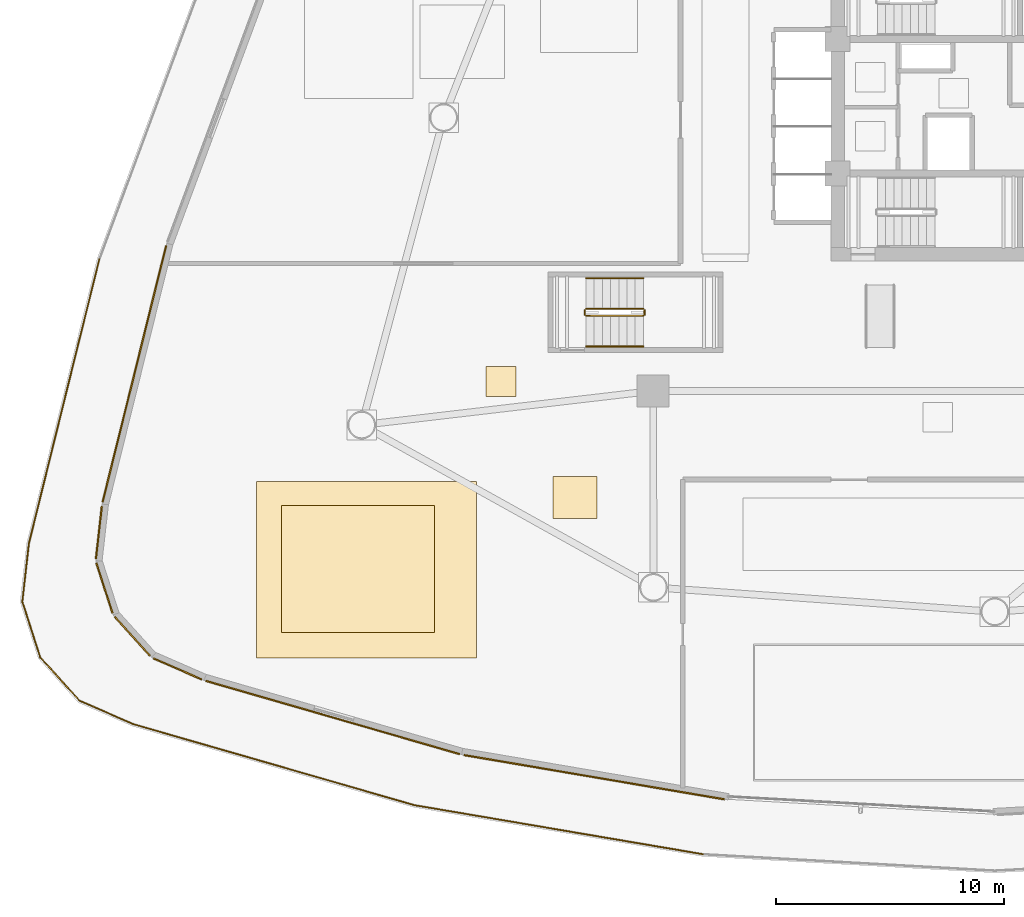
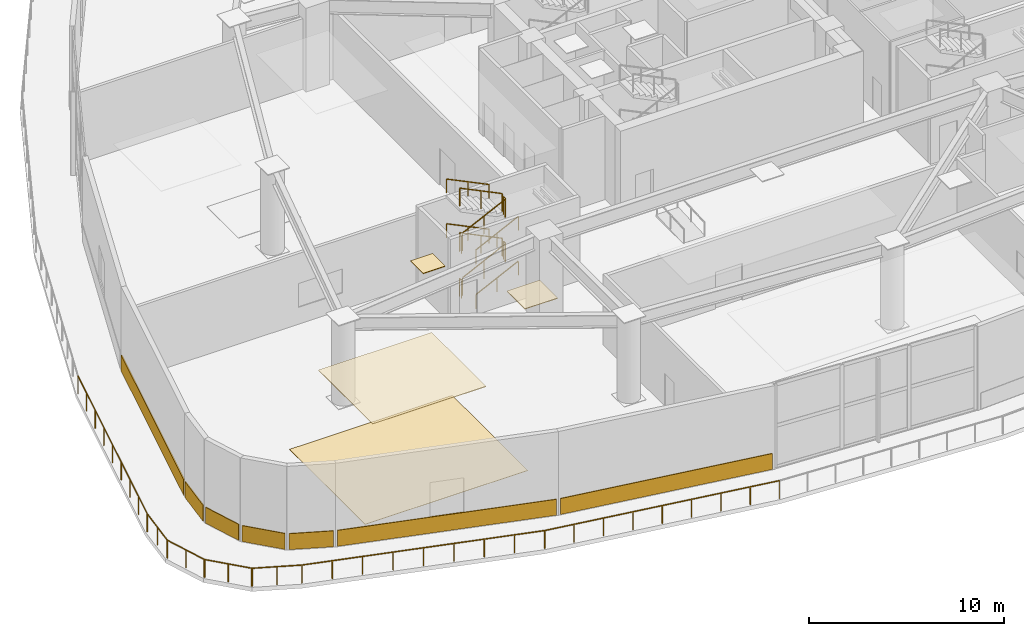
# One storey, part 18 of 26: 19 railings, 11 coverings.
"""IFC4 building model written with IfcOpenShell, lengths in metres."""

from ifc_helpers import new_model, si_unit, direction, frame, origin, origin_2d, place, context, subcontext, project, spatial, polyline, rectangle, outline, extrude, material, layer, layer_set, type_object, element, save


model = new_model("IFC4")

# Units and contexts
model_context = context("Model", 3, precision=1e-05, world=origin(), true_north=direction((0.0, 1.0)))
body_context = subcontext(model_context, "Body", "Model", "MODEL_VIEW")
ifc_project = project(units=[si_unit("LENGTHUNIT", "METRE"), si_unit("AREAUNIT", "SQUARE_METRE"), si_unit("VOLUMEUNIT", "CUBIC_METRE"), si_unit("PLANEANGLEUNIT", "RADIAN"), si_unit("MASSUNIT", "GRAM", prefix="KILO")], contexts=[model_context])

# Site, building, storey
site_placement = place(None, origin())
site = spatial("IfcSite", under=ifc_project, at=site_placement, CompositionType="ELEMENT")
building_placement = place(site_placement, origin())
building = spatial("IfcBuilding", under=site, at=building_placement, Name="Tavelor Broadcast Tower", CompositionType="ELEMENT")
storey_placement = place(building_placement, frame((0.0, 0.0, 5.800048828125)))
storey = spatial("IfcBuildingStorey", under=building, at=storey_placement, Name="L01", CompositionType="ELEMENT", Elevation=5.800048828125)

# Railings
ifc_material_1 = material(Name="Steel S355", Category="steel")
railing_type_1 = type_object("IfcRailingType", Name="Continuous Brushed Stainless Handrail 900 mm", PredefinedType="HANDRAIL", material=ifc_material_1)
railing_1_placement = place(storey_placement, frame((32.050048828125, 34.449951171875, 0.175048828125)))
element("IfcRailing", 1, at=railing_1_placement, inside=storey, type_object=railing_type_1, Name="L01 ST3 stair handrail 1", PredefinedType="HANDRAIL", context=body_context, shape_type="SweptSolid", body=[
    extrude(rectangle(XDim=0.048095703125, YDim=0.048095703125, at=origin_2d()), frame((0.0, 0.0, 0.8759765625), z_axis=(0.899389741696, 0.0, 0.437147678172), x_axis=(0.0, 1.0, 0.0)), (0.0, 0.0, 1.0), 2.802001953125),
    extrude(rectangle(XDim=0.0419921875, YDim=0.0419921875, at=origin_2d()), origin(), (0.0, 0.0, 1.0), 0.851806640625),
    extrude(rectangle(XDim=0.0419921875, YDim=0.0419921875, at=origin_2d()), frame((1.260009765625, 0.0, 0.6123046875)), (0.0, 0.0, 1.0), 0.851806640625),
    extrude(rectangle(XDim=0.0419921875, YDim=0.0419921875, at=origin_2d()), frame((2.52001953125, 0.0, 1.224853515625)), (0.0, 0.0, 1.0), 0.851806640625),
])
railing_2_placement = place(storey_placement, frame((34.570068359375, 37.449951171875, 1.574951171875)))
element("IfcRailing", 2, at=railing_2_placement, inside=storey, type_object=railing_type_1, Name="L01 ST3 stair handrail 2", PredefinedType="HANDRAIL", context=body_context, shape_type="SweptSolid", body=[
    extrude(rectangle(XDim=0.048095703125, YDim=0.048095703125, at=origin_2d()), frame((0.0, 0.0, 0.8759765625), z_axis=(-0.899355482384, 0.0, 0.437218156423), x_axis=(0.0, -1.0, 0.0)), (0.0, 0.0, 1.0), 2.802001953125),
    extrude(rectangle(XDim=0.0419921875, YDim=0.0419921875, at=origin_2d()), origin(), (0.0, 0.0, 1.0), 0.851806640625),
    extrude(rectangle(XDim=0.0419921875, YDim=0.0419921875, at=origin_2d()), frame((-1.260009765625, 0.0, 0.612548828125)), (0.0, 0.0, 1.0), 0.851806640625),
    extrude(rectangle(XDim=0.0419921875, YDim=0.0419921875, at=origin_2d()), frame((-2.52001953125, 0.0, 1.22509765625)), (0.0, 0.0, 1.0), 0.851806640625),
])
railing_3_placement = place(storey_placement, frame((32.050048828125, 34.449951171875, 2.974853515625)))
element("IfcRailing", 3, at=railing_3_placement, inside=storey, type_object=railing_type_1, Name="L01 ST3 stair handrail 3", PredefinedType="HANDRAIL", context=body_context, shape_type="SweptSolid", body=[
    extrude(rectangle(XDim=0.048095703125, YDim=0.048095703125, at=origin_2d()), frame((0.0, 0.0, 0.8759765625), z_axis=(0.899355482384, 0.0, 0.437218156423), x_axis=(0.0, 1.0, 0.0)), (0.0, 0.0, 1.0), 2.802001953125),
    extrude(rectangle(XDim=0.0419921875, YDim=0.0419921875, at=origin_2d()), origin(), (0.0, 0.0, 1.0), 0.851806640625),
    extrude(rectangle(XDim=0.0419921875, YDim=0.0419921875, at=origin_2d()), frame((1.260009765625, 0.0, 0.612548828125)), (0.0, 0.0, 1.0), 0.851806640625),
    extrude(rectangle(XDim=0.0419921875, YDim=0.0419921875, at=origin_2d()), frame((2.52001953125, 0.0, 1.22509765625)), (0.0, 0.0, 1.0), 0.851806640625),
])
railing_4_placement = place(storey_placement, frame((34.570068359375, 37.449951171875, 4.375)))
element("IfcRailing", 4, at=railing_4_placement, inside=storey, type_object=railing_type_1, Name="L01 ST3 stair handrail 4", PredefinedType="HANDRAIL", context=body_context, shape_type="SweptSolid", body=[
    extrude(rectangle(XDim=0.048095703125, YDim=0.048095703125, at=origin_2d()), frame((0.0, 0.0, 0.8759765625), z_axis=(-0.899389741696, 0.0, 0.437147678172), x_axis=(0.0, -1.0, 0.0)), (0.0, 0.0, 1.0), 2.802001953125),
    extrude(rectangle(XDim=0.0419921875, YDim=0.0419921875, at=origin_2d()), origin(), (0.0, 0.0, 1.0), 0.851806640625),
    extrude(rectangle(XDim=0.0419921875, YDim=0.0419921875, at=origin_2d()), frame((-1.260009765625, 0.0, 0.6123046875)), (0.0, 0.0, 1.0), 0.851806640625),
    extrude(rectangle(XDim=0.0419921875, YDim=0.0419921875, at=origin_2d()), frame((-2.52001953125, 0.0, 1.224853515625)), (0.0, 0.0, 1.0), 0.851806640625),
])

# Covering
ifc_material_2 = material(Name="Acoustic Nylon Carpet Tile")
ifc_layer_1 = layer(ifc_material_2, 0.02001953125)
ifc_layer_set_1 = layer_set([ifc_layer_1], Name="Acoustic Nylon Carpet Tile")
covering_type_1 = type_object("IfcCoveringType", Name="Heavy-Duty Acoustic Broadcast Carpet Tile 20 mm", PredefinedType="FLOORING", material=ifc_layer_set_1)
covering_1_placement = place(storey_placement, origin())
element("IfcCovering", 5, at=covering_1_placement, inside=storey, type_object=covering_type_1, Name="L01 Broadcast Floor Finish 0016", PredefinedType="FLOORING", context=body_context, shape_type="SweptSolid", body=[
    extrude(outline(polyline([(17.58984375, 20.767578125), (27.23486328125, 20.767578125), (27.23486328125, 28.523193359375), (17.58984375, 28.523193359375), (17.58984375, 20.767578125)])), origin(), (0.0, 0.0, 1.0), 0.02001953125),
])

# Railings
railing_type_2 = type_object("IfcRailingType", Name="Planted Terrace Laminated Glass Balustrade 1150 mm", PredefinedType="BALUSTRADE", material=ifc_material_1)
railing_5_placement = place(storey_placement, frame((10.680419921875, 38.280517578125, 0.0)))
element("IfcRailing", 6, at=railing_5_placement, inside=storey, type_object=railing_type_2, Name="L01 Cascading Garden Terrace 1 Balustrade #13", PredefinedType="BALUSTRADE", context=body_context, shape_type="SweptSolid", body=[
    extrude(rectangle(XDim=0.048095703125, YDim=0.048095703125, at=origin_2d()), frame((0.0, 0.0, 1.1259765625), z_axis=(-0.240559895028, -0.970634296171, 0.0), x_axis=(0.970634296171, -0.240559895028, 0.0)), (0.0, 0.0, 1.0), 12.8544921875),
    extrude(rectangle(XDim=0.0419921875, YDim=0.0419921875, at=origin_2d()), origin(), (0.0, 0.0, 1.0), 1.101806640625),
    extrude(rectangle(XDim=0.0419921875, YDim=0.0419921875, at=origin_2d()), frame((-0.386474609375, -1.5595703125, 0.0)), (0.0, 0.0, 1.0), 1.101806640625),
    extrude(rectangle(XDim=0.0419921875, YDim=0.0419921875, at=origin_2d()), frame((-0.77294921875, -3.119140625, 0.0)), (0.0, 0.0, 1.0), 1.101806640625),
    extrude(rectangle(XDim=0.0419921875, YDim=0.0419921875, at=origin_2d()), frame((-1.15966796875, -4.678955078125, 0.0)), (0.0, 0.0, 1.0), 1.101806640625),
    extrude(rectangle(XDim=0.0419921875, YDim=0.0419921875, at=origin_2d()), frame((-1.546142578125, -6.238525390625, 0.0)), (0.0, 0.0, 1.0), 1.101806640625),
    extrude(rectangle(XDim=0.0419921875, YDim=0.0419921875, at=origin_2d()), frame((-1.9326171875, -7.798095703125, 0.0)), (0.0, 0.0, 1.0), 1.101806640625),
    extrude(rectangle(XDim=0.0419921875, YDim=0.0419921875, at=origin_2d()), frame((-2.3193359375, -9.35791015625, 0.0)), (0.0, 0.0, 1.0), 1.101806640625),
    extrude(rectangle(XDim=0.0419921875, YDim=0.0419921875, at=origin_2d()), frame((-2.705810546875, -10.91748046875, 0.0)), (0.0, 0.0, 1.0), 1.101806640625),
    extrude(rectangle(XDim=0.0419921875, YDim=0.0419921875, at=origin_2d()), frame((-3.09228515625, -12.47705078125, 0.0)), (0.0, 0.0, 1.0), 1.101806640625),
])
railing_6_placement = place(storey_placement, frame((7.59033203125, 25.81640625, 0.0)))
element("IfcRailing", 7, at=railing_6_placement, inside=storey, type_object=railing_type_2, Name="L01 Cascading Garden Terrace 1 Balustrade #14", PredefinedType="BALUSTRADE", context=body_context, shape_type="SweptSolid", body=[
    extrude(rectangle(XDim=0.048095703125, YDim=0.048095703125, at=origin_2d()), frame((0.0, 0.0, 1.1259765625), z_axis=(-0.112340896181, -0.993669725334, 0.0), x_axis=(0.993669725334, -0.112340896181, 0.0)), (0.0, 0.0, 1.0), 2.610107421875),
    extrude(rectangle(XDim=0.0419921875, YDim=0.0419921875, at=origin_2d()), origin(), (0.0, 0.0, 1.0), 1.101806640625),
    extrude(rectangle(XDim=0.0419921875, YDim=0.0419921875, at=origin_2d()), frame((-0.146484375, -1.296875, 0.0)), (0.0, 0.0, 1.0), 1.101806640625),
    extrude(rectangle(XDim=0.0419921875, YDim=0.0419921875, at=origin_2d()), frame((-0.293212890625, -2.593505859375, 0.0)), (0.0, 0.0, 1.0), 1.101806640625),
])
railing_7_placement = place(storey_placement, frame((7.29296875, 23.264892578125, 0.0)))
element("IfcRailing", 8, at=railing_7_placement, inside=storey, type_object=railing_type_2, Name="L01 Cascading Garden Terrace 1 Balustrade #15", PredefinedType="BALUSTRADE", context=body_context, shape_type="SweptSolid", body=[
    extrude(rectangle(XDim=0.048095703125, YDim=0.048095703125, at=origin_2d()), frame((0.0, 0.0, 1.1259765625), z_axis=(0.306557224413, -0.951852230212, 0.0), x_axis=(0.951852230212, 0.306557224413, 0.0)), (0.0, 0.0, 1.0), 2.60986328125),
    extrude(rectangle(XDim=0.0419921875, YDim=0.0419921875, at=origin_2d()), origin(), (0.0, 0.0, 1.0), 1.101806640625),
    extrude(rectangle(XDim=0.0419921875, YDim=0.0419921875, at=origin_2d()), frame((0.39990234375, -1.2421875, 0.0)), (0.0, 0.0, 1.0), 1.101806640625),
    extrude(rectangle(XDim=0.0419921875, YDim=0.0419921875, at=origin_2d()), frame((0.800048828125, -2.484130859375, 0.0)), (0.0, 0.0, 1.0), 1.101806640625),
])
railing_8_placement = place(storey_placement, frame((8.072021484375, 20.817138671875, 0.0)))
element("IfcRailing", 9, at=railing_8_placement, inside=storey, type_object=railing_type_2, Name="L01 Cascading Garden Terrace 1 Balustrade #16", PredefinedType="BALUSTRADE", context=body_context, shape_type="SweptSolid", body=[
    extrude(rectangle(XDim=0.048095703125, YDim=0.048095703125, at=origin_2d()), frame((0.0, 0.0, 1.1259765625), z_axis=(0.67100884778, -0.741449341629, 0.0), x_axis=(0.741449341629, 0.67100884778, 0.0)), (0.0, 0.0, 1.0), 2.60986328125),
    extrude(rectangle(XDim=0.0419921875, YDim=0.0419921875, at=origin_2d()), origin(), (0.0, 0.0, 1.0), 1.101806640625),
    extrude(rectangle(XDim=0.0419921875, YDim=0.0419921875, at=origin_2d()), frame((0.87548828125, -0.967529296875, 0.0)), (0.0, 0.0, 1.0), 1.101806640625),
    extrude(rectangle(XDim=0.0419921875, YDim=0.0419921875, at=origin_2d()), frame((1.751220703125, -1.93505859375, 0.0)), (0.0, 0.0, 1.0), 1.101806640625),
])
railing_9_placement = place(storey_placement, frame((9.789306640625, 18.90673828125, 0.0)))
element("IfcRailing", 10, at=railing_9_placement, inside=storey, type_object=railing_type_2, Name="L01 Cascading Garden Terrace 1 Balustrade #17", PredefinedType="BALUSTRADE", context=body_context, shape_type="SweptSolid", body=[
    extrude(rectangle(XDim=0.048095703125, YDim=0.048095703125, at=origin_2d()), frame((0.0, 0.0, 1.1259765625), z_axis=(0.916708265482, -0.399557199906, 0.0), x_axis=(0.399557199906, 0.916708265482, 0.0)), (0.0, 0.0, 1.0), 2.609619140625),
    extrude(rectangle(XDim=0.0419921875, YDim=0.0419921875, at=origin_2d()), origin(), (0.0, 0.0, 1.0), 1.101806640625),
    extrude(rectangle(XDim=0.0419921875, YDim=0.0419921875, at=origin_2d()), frame((1.1962890625, -0.521484375, 0.0)), (0.0, 0.0, 1.0), 1.101806640625),
    extrude(rectangle(XDim=0.0419921875, YDim=0.0419921875, at=origin_2d()), frame((2.392333984375, -1.042724609375, 0.0)), (0.0, 0.0, 1.0), 1.101806640625),
])
railing_10_placement = place(storey_placement, frame((12.169189453125, 17.868408203125, 0.0)))
element("IfcRailing", 11, at=railing_10_placement, inside=storey, type_object=railing_type_2, Name="L01 Cascading Garden Terrace 1 Balustrade #18", PredefinedType="BALUSTRADE", context=body_context, shape_type="SweptSolid", body=[
    extrude(rectangle(XDim=0.048095703125, YDim=0.048095703125, at=origin_2d()), frame((0.0, 0.0, 1.1259765625), z_axis=(0.960879887, -0.276965417985, 0.0), x_axis=(0.276965417985, 0.960879887, 0.0)), (0.0, 0.0, 1.0), 12.854736328125),
    extrude(rectangle(XDim=0.0419921875, YDim=0.0419921875, at=origin_2d()), origin(), (0.0, 0.0, 1.0), 1.101806640625),
    extrude(rectangle(XDim=0.0419921875, YDim=0.0419921875, at=origin_2d()), frame((1.5439453125, -0.445068359375, 0.0)), (0.0, 0.0, 1.0), 1.101806640625),
    extrude(rectangle(XDim=0.0419921875, YDim=0.0419921875, at=origin_2d()), frame((3.087890625, -0.89013671875, 0.0)), (0.0, 0.0, 1.0), 1.101806640625),
    extrude(rectangle(XDim=0.0419921875, YDim=0.0419921875, at=origin_2d()), frame((4.6318359375, -1.335205078125, 0.0)), (0.0, 0.0, 1.0), 1.101806640625),
    extrude(rectangle(XDim=0.0419921875, YDim=0.0419921875, at=origin_2d()), frame((6.17578125, -1.7802734375, 0.0)), (0.0, 0.0, 1.0), 1.101806640625),
    extrude(rectangle(XDim=0.0419921875, YDim=0.0419921875, at=origin_2d()), frame((7.719970703125, -2.22509765625, 0.0)), (0.0, 0.0, 1.0), 1.101806640625),
    extrude(rectangle(XDim=0.0419921875, YDim=0.0419921875, at=origin_2d()), frame((9.263916015625, -2.670166015625, 0.0)), (0.0, 0.0, 1.0), 1.101806640625),
    extrude(rectangle(XDim=0.0419921875, YDim=0.0419921875, at=origin_2d()), frame((10.807861328125, -3.115234375, 0.0)), (0.0, 0.0, 1.0), 1.101806640625),
    extrude(rectangle(XDim=0.0419921875, YDim=0.0419921875, at=origin_2d()), frame((12.351806640625, -3.560302734375, 0.0)), (0.0, 0.0, 1.0), 1.101806640625),
])
railing_11_placement = place(storey_placement, frame((24.510009765625, 14.310546875, 0.0)))
element("IfcRailing", 12, at=railing_11_placement, inside=storey, type_object=railing_type_2, Name="L01 Cascading Garden Terrace 1 Balustrade #19", PredefinedType="BALUSTRADE", context=body_context, shape_type="SweptSolid", body=[
    extrude(rectangle(XDim=0.048095703125, YDim=0.048095703125, at=origin_2d()), frame((0.0, 0.0, 1.1259765625), z_axis=(0.985853304723, -0.167610445878, 0.0), x_axis=(0.167610445878, 0.985853304723, 0.0)), (0.0, 0.0, 1.0), 12.8544921875),
    extrude(rectangle(XDim=0.0419921875, YDim=0.0419921875, at=origin_2d()), origin(), (0.0, 0.0, 1.0), 1.101806640625),
    extrude(rectangle(XDim=0.0419921875, YDim=0.0419921875, at=origin_2d()), frame((1.583984375, -0.269287109375, 0.0)), (0.0, 0.0, 1.0), 1.101806640625),
    extrude(rectangle(XDim=0.0419921875, YDim=0.0419921875, at=origin_2d()), frame((3.168212890625, -0.53857421875, 0.0)), (0.0, 0.0, 1.0), 1.101806640625),
    extrude(rectangle(XDim=0.0419921875, YDim=0.0419921875, at=origin_2d()), frame((4.752197265625, -0.807861328125, 0.0)), (0.0, 0.0, 1.0), 1.101806640625),
    extrude(rectangle(XDim=0.0419921875, YDim=0.0419921875, at=origin_2d()), frame((6.33642578125, -1.0771484375, 0.0)), (0.0, 0.0, 1.0), 1.101806640625),
    extrude(rectangle(XDim=0.0419921875, YDim=0.0419921875, at=origin_2d()), frame((7.92041015625, -1.3466796875, 0.0)), (0.0, 0.0, 1.0), 1.101806640625),
    extrude(rectangle(XDim=0.0419921875, YDim=0.0419921875, at=origin_2d()), frame((9.50439453125, -1.615966796875, 0.0)), (0.0, 0.0, 1.0), 1.101806640625),
    extrude(rectangle(XDim=0.0419921875, YDim=0.0419921875, at=origin_2d()), frame((11.088623046875, -1.88525390625, 0.0)), (0.0, 0.0, 1.0), 1.101806640625),
    extrude(rectangle(XDim=0.0419921875, YDim=0.0419921875, at=origin_2d()), frame((12.672607421875, -2.154541015625, 0.0)), (0.0, 0.0, 1.0), 1.101806640625),
])

# Coverings
ifc_material_3 = material(Name="Kiln-Fired Glazed Terracotta", Category="masonry")
ifc_layer_2 = layer(ifc_material_3, 0.06494140625)
ifc_layer_set_2 = layer_set([ifc_layer_2], Name="Kiln-Fired Glazed Terracotta")
covering_type_2 = type_object("IfcCoveringType", Name="Ribbed Terracotta Rainscreen Spandrel Cladding 65 mm", PredefinedType="CLADDING", material=ifc_layer_set_2)
covering_2_placement = place(storey_placement, frame((12.220947265625, 33.24658203125, 0.050048828125), z_axis=(0.0, 0.0, 1.0), x_axis=(-0.240566871809, -0.970632567035, 0.0)))
element("IfcCovering", 13, at=covering_2_placement, inside=storey, type_object=covering_type_2, Name="L01 Terracotta Spandrel Rainscreen 10", PredefinedType="CLADDING", context=body_context, shape_type="SweptSolid", body=[
    extrude(rectangle(XDim=11.59375, YDim=0.06494140625, at=origin_2d()), origin(), (0.0, 0.0, 1.0), 1.0),
])
for number, where, z_axis, x_axis, name in (
    (14, (10.66162109375, 26.2783203125, 0.050048828125), (0.0, 0.0, 1.0), (-0.112336115762, -0.99367026578, 0.0), "L01 Terracotta Spandrel Rainscreen 11"),
    (15, (10.90478515625, 23.842041015625, 0.050048828125), (0.0, 0.0, 1.0), (0.306526078098, -0.951862260753, 0.0), "L01 Terracotta Spandrel Rainscreen 12"),
    (16, (12.12890625, 21.7216796875, 0.050048828125), (0.0, 0.0, 1.0), (0.671073859667, -0.741390500932, 0.0), "L01 Terracotta Spandrel Rainscreen 13"),
    (17, (14.117431640625, 20.292724609375, 0.050048828125), (0.0, 0.0, 1.0), (0.916711751032, -0.399549202878, 0.0), "L01 Terracotta Spandrel Rainscreen 14"),
):
    element("IfcCovering", number, at=place(storey_placement, frame(where, z_axis=z_axis, x_axis=x_axis)), inside=storey, type_object=covering_type_2, Name=name, PredefinedType="CLADDING", context=body_context, shape_type="SweptSolid", body=[
        extrude(rectangle(XDim=2.3046875, YDim=0.06494140625, at=origin_2d()), origin(), (0.0, 0.0, 1.0), 1.0),
    ])
for number, where, z_axis, x_axis, name in (
    (18, (20.931640625, 18.1591796875, 0.050048828125), (0.0, 0.0, 1.0), (0.960875896697, -0.276979261222, 0.0), "L01 Terracotta Spandrel Rainscreen 15"),
    (19, (32.411376953125, 15.537353515625, 0.050048828125), (0.0, 0.0, 1.0), (0.985850128464, -0.167629126969, 0.0), "L01 Terracotta Spandrel Rainscreen 16"),
):
    element("IfcCovering", number, at=place(storey_placement, frame(where, z_axis=z_axis, x_axis=x_axis)), inside=storey, type_object=covering_type_2, Name=name, PredefinedType="CLADDING", context=body_context, shape_type="SweptSolid", body=[
        extrude(rectangle(XDim=11.59375, YDim=0.06494140625, at=origin_2d()), origin(), (0.0, 0.0, 1.0), 1.0),
    ])

# Railings
railing_type_3 = type_object("IfcRailingType", Name="Stairwell Steel Safety Guardrail 1150 mm", PredefinedType="GUARDRAIL", material=ifc_material_1)
railing_12_placement = place(storey_placement, frame((32.050048828125, 35.800048828125, 0.175048828125)))
element("IfcRailing", 20, at=railing_12_placement, inside=storey, type_object=railing_type_3, Name="L01 ST3 stair guard 1", PredefinedType="GUARDRAIL", context=body_context, shape_type="SweptSolid", body=[
    extrude(rectangle(XDim=0.048095703125, YDim=0.048095703125, at=origin_2d()), frame((0.0, 0.0, 1.1259765625), z_axis=(0.899389741696, 0.0, 0.437147678172), x_axis=(0.0, 1.0, 0.0)), (0.0, 0.0, 1.0), 2.802001953125),
    extrude(rectangle(XDim=0.0419921875, YDim=0.0419921875, at=origin_2d()), origin(), (0.0, 0.0, 1.0), 1.101806640625),
    extrude(rectangle(XDim=0.0419921875, YDim=0.0419921875, at=origin_2d()), frame((1.260009765625, 0.0, 0.6123046875)), (0.0, 0.0, 1.0), 1.101806640625),
    extrude(rectangle(XDim=0.0419921875, YDim=0.0419921875, at=origin_2d()), frame((2.52001953125, 0.0, 1.224853515625)), (0.0, 0.0, 1.0), 1.101806640625),
])
railing_13_placement = place(storey_placement, frame((34.6201171875, 35.85009765625, 1.39990234375)))
element("IfcRailing", 21, at=railing_13_placement, inside=storey, type_object=railing_type_3, Name="L01 ST3 stair guard 2", PredefinedType="GUARDRAIL", context=body_context, shape_type="SweptSolid", body=[
    extrude(rectangle(XDim=0.048095703125, YDim=0.048095703125, at=origin_2d()), frame((0.0, 0.0, 1.1259765625), z_axis=(0.0, 1.0, 0.0), x_axis=(-1.0, 0.0, 0.0)), (0.0, 0.0, 1.0), 0.199951171875),
    extrude(rectangle(XDim=0.0419921875, YDim=0.0419921875, at=origin_2d()), origin(), (0.0, 0.0, 1.0), 1.101806640625),
    extrude(rectangle(XDim=0.0419921875, YDim=0.0419921875, at=origin_2d()), frame((0.0, 0.199951171875, 0.0)), (0.0, 0.0, 1.0), 1.101806640625),
])
railing_14_placement = place(storey_placement, frame((34.570068359375, 36.10009765625, 1.574951171875)))
element("IfcRailing", 22, at=railing_14_placement, inside=storey, type_object=railing_type_3, Name="L01 ST3 stair guard 3", PredefinedType="GUARDRAIL", context=body_context, shape_type="SweptSolid", body=[
    extrude(rectangle(XDim=0.048095703125, YDim=0.048095703125, at=origin_2d()), frame((0.0, 0.0, 1.1259765625), z_axis=(-0.899355482384, 0.0, 0.437218156423), x_axis=(0.0, -1.0, 0.0)), (0.0, 0.0, 1.0), 2.802001953125),
    extrude(rectangle(XDim=0.0419921875, YDim=0.0419921875, at=origin_2d()), origin(), (0.0, 0.0, 1.0), 1.101806640625),
    extrude(rectangle(XDim=0.0419921875, YDim=0.0419921875, at=origin_2d()), frame((-1.260009765625, 0.0, 0.612548828125)), (0.0, 0.0, 1.0), 1.101806640625),
    extrude(rectangle(XDim=0.0419921875, YDim=0.0419921875, at=origin_2d()), frame((-2.52001953125, 0.0, 1.22509765625)), (0.0, 0.0, 1.0), 1.101806640625),
])
railing_15_placement = place(storey_placement, frame((32.0, 35.85009765625, 2.800048828125)))
element("IfcRailing", 23, at=railing_15_placement, inside=storey, type_object=railing_type_3, Name="L01 ST3 stair guard 4", PredefinedType="GUARDRAIL", context=body_context, shape_type="SweptSolid", body=[
    extrude(rectangle(XDim=0.048095703125, YDim=0.048095703125, at=origin_2d()), frame((0.0, 0.0, 1.1259765625), z_axis=(0.0, 1.0, 0.0), x_axis=(-1.0, 0.0, 0.0)), (0.0, 0.0, 1.0), 0.199951171875),
    extrude(rectangle(XDim=0.0419921875, YDim=0.0419921875, at=origin_2d()), origin(), (0.0, 0.0, 1.0), 1.101806640625),
    extrude(rectangle(XDim=0.0419921875, YDim=0.0419921875, at=origin_2d()), frame((0.0, 0.199951171875, 0.0)), (0.0, 0.0, 1.0), 1.101806640625),
])
railing_16_placement = place(storey_placement, frame((32.050048828125, 35.800048828125, 2.974853515625)))
element("IfcRailing", 24, at=railing_16_placement, inside=storey, type_object=railing_type_3, Name="L01 ST3 stair guard 5", PredefinedType="GUARDRAIL", context=body_context, shape_type="SweptSolid", body=[
    extrude(rectangle(XDim=0.048095703125, YDim=0.048095703125, at=origin_2d()), frame((0.0, 0.0, 1.1259765625), z_axis=(0.899355482384, 0.0, 0.437218156423), x_axis=(0.0, 1.0, 0.0)), (0.0, 0.0, 1.0), 2.802001953125),
    extrude(rectangle(XDim=0.0419921875, YDim=0.0419921875, at=origin_2d()), origin(), (0.0, 0.0, 1.0), 1.101806640625),
    extrude(rectangle(XDim=0.0419921875, YDim=0.0419921875, at=origin_2d()), frame((1.260009765625, 0.0, 0.612548828125)), (0.0, 0.0, 1.0), 1.101806640625),
    extrude(rectangle(XDim=0.0419921875, YDim=0.0419921875, at=origin_2d()), frame((2.52001953125, 0.0, 1.22509765625)), (0.0, 0.0, 1.0), 1.101806640625),
])
railing_17_placement = place(storey_placement, frame((34.6201171875, 35.85009765625, 4.199951171875)))
element("IfcRailing", 25, at=railing_17_placement, inside=storey, type_object=railing_type_3, Name="L01 ST3 stair guard 6", PredefinedType="GUARDRAIL", context=body_context, shape_type="SweptSolid", body=[
    extrude(rectangle(XDim=0.048095703125, YDim=0.048095703125, at=origin_2d()), frame((0.0, 0.0, 1.1259765625), z_axis=(0.0, 1.0, 0.0), x_axis=(-1.0, 0.0, 0.0)), (0.0, 0.0, 1.0), 0.199951171875),
    extrude(rectangle(XDim=0.0419921875, YDim=0.0419921875, at=origin_2d()), origin(), (0.0, 0.0, 1.0), 1.101806640625),
    extrude(rectangle(XDim=0.0419921875, YDim=0.0419921875, at=origin_2d()), frame((0.0, 0.199951171875, 0.0)), (0.0, 0.0, 1.0), 1.101806640625),
])
railing_18_placement = place(storey_placement, frame((34.570068359375, 36.10009765625, 4.375)))
element("IfcRailing", 26, at=railing_18_placement, inside=storey, type_object=railing_type_3, Name="L01 ST3 stair guard 7", PredefinedType="GUARDRAIL", context=body_context, shape_type="SweptSolid", body=[
    extrude(rectangle(XDim=0.048095703125, YDim=0.048095703125, at=origin_2d()), frame((0.0, 0.0, 1.1259765625), z_axis=(-0.899389741696, 0.0, 0.437147678172), x_axis=(0.0, -1.0, 0.0)), (0.0, 0.0, 1.0), 2.802001953125),
    extrude(rectangle(XDim=0.0419921875, YDim=0.0419921875, at=origin_2d()), origin(), (0.0, 0.0, 1.0), 1.101806640625),
    extrude(rectangle(XDim=0.0419921875, YDim=0.0419921875, at=origin_2d()), frame((-1.260009765625, 0.0, 0.6123046875)), (0.0, 0.0, 1.0), 1.101806640625),
    extrude(rectangle(XDim=0.0419921875, YDim=0.0419921875, at=origin_2d()), frame((-2.52001953125, 0.0, 1.224853515625)), (0.0, 0.0, 1.0), 1.101806640625),
])
railing_19_placement = place(storey_placement, frame((32.0, 35.85009765625, 0.0)))
element("IfcRailing", 27, at=railing_19_placement, inside=storey, type_object=railing_type_3, Name="L01 ST3 stair guard 8", PredefinedType="GUARDRAIL", context=body_context, shape_type="SweptSolid", body=[
    extrude(rectangle(XDim=0.048095703125, YDim=0.048095703125, at=origin_2d()), frame((0.0, 0.0, 1.1259765625), z_axis=(0.0, 1.0, 0.0), x_axis=(-1.0, 0.0, 0.0)), (0.0, 0.0, 1.0), 0.199951171875),
    extrude(rectangle(XDim=0.0419921875, YDim=0.0419921875, at=origin_2d()), origin(), (0.0, 0.0, 1.0), 1.101806640625),
    extrude(rectangle(XDim=0.0419921875, YDim=0.0419921875, at=origin_2d()), frame((0.0, 0.199951171875, 0.0)), (0.0, 0.0, 1.0), 1.101806640625),
])

# Coverings
ifc_material_4 = material(Name="Acoustic Mineral Fibre Tile")
ifc_layer_3 = layer(ifc_material_4, 0.0400390625)
ifc_layer_set_3 = layer_set([ifc_layer_3], Name="Acoustic Mineral Fibre Tile")
covering_type_3 = type_object("IfcCoveringType", Name="Suspended Acoustic Mineral-Fibre Office Ceiling 40 mm", PredefinedType="CEILING", material=ifc_layer_set_3)
covering_3_placement = place(storey_placement, frame((0.0, 0.0, 5.2099609375)))
element("IfcCovering", 28, at=covering_3_placement, inside=storey, type_object=covering_type_3, Name="L01 Suspended Acoustic Ceiling 0040", PredefinedType="CEILING", context=body_context, shape_type="SweptSolid", body=[
    extrude(outline(polyline([(18.6875, 21.89990234375), (25.40673828125, 21.89990234375), (25.40673828125, 27.465087890625), (18.6875, 27.465087890625), (18.6875, 21.89990234375)])), origin(), (0.0, 0.0, 1.0), 0.0400390625),
])
covering_4_placement = place(storey_placement, frame((0.0, 0.0, 5.2099609375)))
element("IfcCovering", 29, at=covering_4_placement, inside=storey, type_object=covering_type_3, Name="L01 Suspended Acoustic Ceiling 0041", PredefinedType="CEILING", context=body_context, shape_type="SweptSolid", body=[
    extrude(outline(polyline([(27.668701171875, 32.260986328125), (28.968505859375, 32.260986328125), (28.968505859375, 33.560791015625), (27.668701171875, 33.560791015625), (27.668701171875, 32.260986328125)])), origin(), (0.0, 0.0, 1.0), 0.0400390625),
])
covering_5_placement = place(storey_placement, frame((0.0, 0.0, 5.2099609375)))
element("IfcCovering", 30, at=covering_5_placement, inside=storey, type_object=covering_type_3, Name="L01 Suspended Acoustic Ceiling 0042", PredefinedType="CEILING", context=body_context, shape_type="SweptSolid", body=[
    extrude(outline(polyline([(30.60009765625, 26.89892578125), (32.538818359375, 26.89892578125), (32.538818359375, 28.746337890625), (30.60009765625, 28.746337890625), (30.60009765625, 26.89892578125)])), origin(), (0.0, 0.0, 1.0), 0.0400390625),
])

save(model, "model.ifc")
